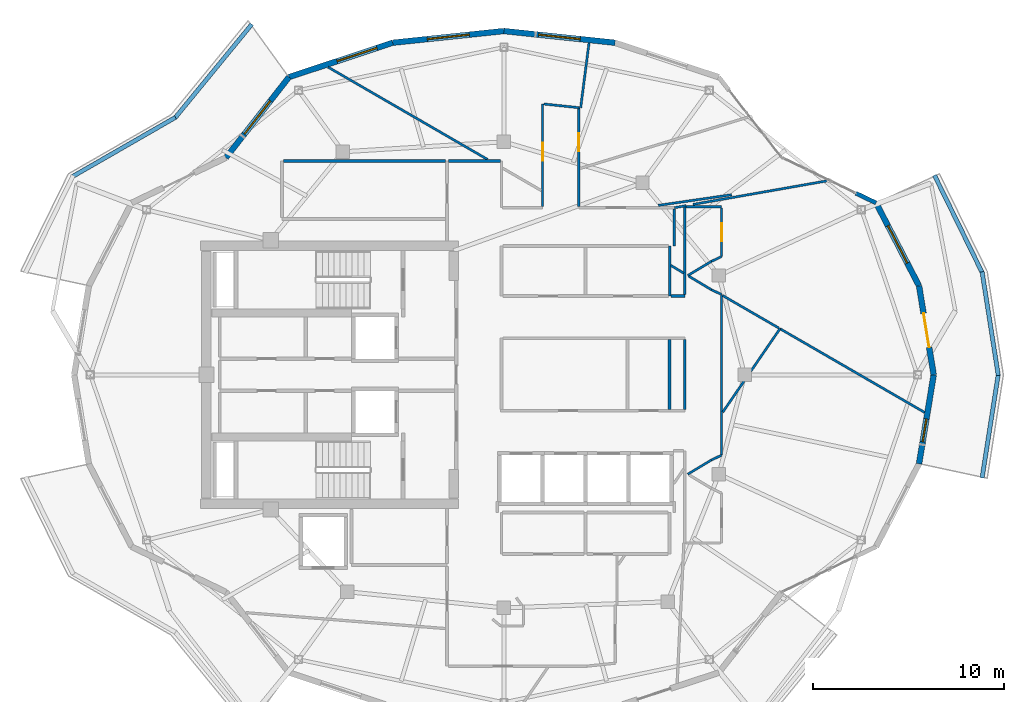
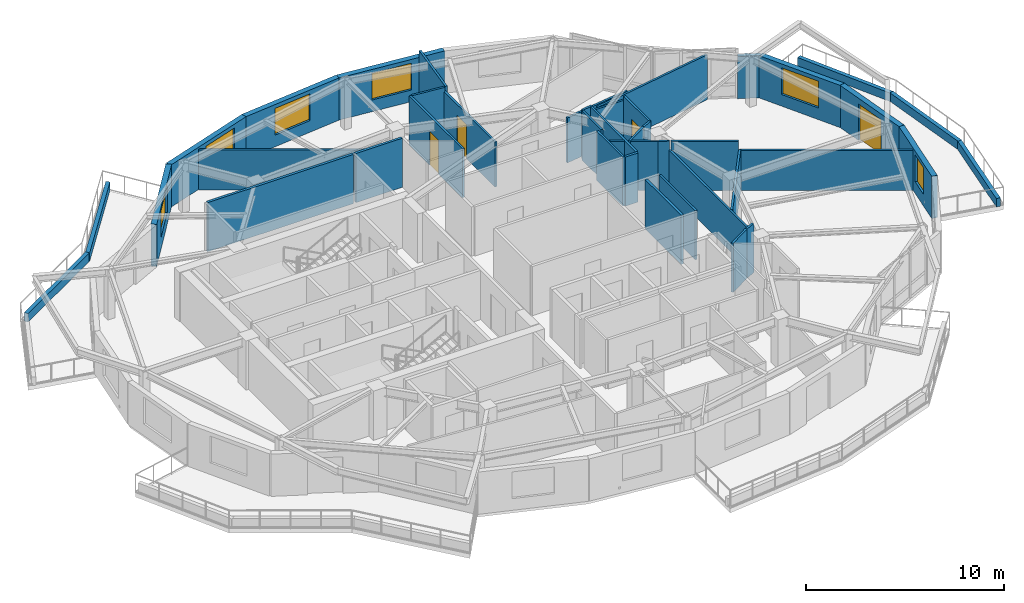
# One storey, part 10 of 14: 42 walls, 6 windows, 4 doors, 10 openings.
"""IFC4 building model written with IfcOpenShell, lengths in metres."""

from ifc_helpers import new_model, si_unit, direction, frame, frame_2d, origin, place, context, subcontext, project, spatial, rectangle, extrude, material, layer, layer_set, type_object, element, fill, save


model = new_model("IFC4")

# Units and contexts
model_context = context("Model", 3, precision=1e-05, world=origin(), true_north=direction((0.0, 1.0)))
body_context = subcontext(model_context, "Body", "Model", "MODEL_VIEW")
ifc_project = project(units=[si_unit("LENGTHUNIT", "METRE"), si_unit("AREAUNIT", "SQUARE_METRE"), si_unit("VOLUMEUNIT", "CUBIC_METRE"), si_unit("PLANEANGLEUNIT", "RADIAN"), si_unit("MASSUNIT", "GRAM", prefix="KILO")], contexts=[model_context])

# Site, building, storey
site_placement = place(None, origin())
site = spatial("IfcSite", under=ifc_project, at=site_placement, CompositionType="ELEMENT")
building_placement = place(site_placement, origin())
building = spatial("IfcBuilding", under=site, at=building_placement, Name="Kolvaren Gate Tower and Convention Centre", CompositionType="ELEMENT")
storey_placement = place(building_placement, frame((0.0, 0.0, 239.300048828125)))
storey = spatial("IfcBuildingStorey", under=building, at=storey_placement, Name="L64", CompositionType="ELEMENT", Elevation=239.300048828125)

# Wall
ifc_material_1 = material(Name="Fire-Rated Acoustic Gypsum Stud Partition", Category="gypsum")
ifc_layer_1 = layer(ifc_material_1, 0.1201171875)
ifc_layer_set_1 = layer_set([ifc_layer_1], Name="Fire-Rated Acoustic Gypsum Stud Partition")
wall_type_1 = type_object("IfcWallType", Name="ARCH-WL-PART-120", PredefinedType="PARTITIONING", material=ifc_layer_set_1)
wall_1_placement = place(storey_placement, frame((38.800048828125, 31.1201171875, 0.0), z_axis=(0.0, 0.0, 1.0), x_axis=(0.0, 1.0, 0.0)))
element("IfcWall", 1, at=wall_1_placement, inside=storey, type_object=wall_type_1, Name="Interior Partition WL-L64-INT-022", PredefinedType="PARTITIONING", context=body_context, shape_type="SweptSolid", body=[
    extrude(rectangle(XDim=2.6298828125, YDim=0.1201171875, at=frame_2d((1.31494140625, 0.0))), origin(), (0.0, 0.0, 1.0), 3.030029296875),
])

# Wall, opening, door
wall_2_placement = place(storey_placement, frame((32.14990234375, 35.81201171875, 0.0), z_axis=(0.0, 0.0, 1.0), x_axis=(0.0, 1.0, 0.0)))
wall_2 = element("IfcWall", 2, at=wall_2_placement, inside=storey, type_object=wall_type_1, Name="Interior Partition WL-L64-INT-034", PredefinedType="PARTITIONING", context=body_context, shape_type="SweptSolid", body=[
    extrude(rectangle(XDim=5.375, YDim=0.1201171875, at=frame_2d((2.6875, 0.0))), origin(), (0.0, 0.0, 1.0), 3.030029296875),
])
opening_1_placement = place(wall_2_placement, frame((2.387451171875, 0.0, 0.0)))
opening_1 = element("IfcOpeningElement", 3, at=opening_1_placement, cuts=wall_2, Name="Opening DR-01", PredefinedType="OPENING", context=body_context, shape_type="SweptSolid", body=[
    extrude(rectangle(XDim=0.949951171875, YDim=2.10009765625, at=frame_2d((0.47509765625, 1.050048828125))), frame((0.0, 0.070068359375, 0.0), z_axis=(0.0, -1.0, 0.0), x_axis=(1.0, 0.0, 0.0)), (0.0, 0.0, 1.0), 0.14013671875),
])
ifc_material_2 = material(Name="Painted Architectural Steelwork ASTM A500 Grade C 345 MPa", Category="steel")
door_type_1 = type_object("IfcDoorType", Name="ARCH-DR-RISER-950", OperationType="SINGLE_SWING_RIGHT", PredefinedType="DOOR", material=ifc_material_2)
door_1_placement = place(opening_1_placement, origin())
door_1 = element("IfcDoor", 4, at=door_1_placement, inside=storey, type_object=door_type_1, Name="Resident Private Study Door", OperationType="SINGLE_SWING_LEFT", OverallHeight=2.10009765625, OverallWidth=0.949951171875, PredefinedType="DOOR", context=body_context, shape_type="SweptSolid", body=[
    extrude(rectangle(XDim=0.949951171875, YDim=2.10009765625, at=frame_2d((0.47509765625, 1.050048828125))), frame((0.0, 0.02490234375, 0.0), z_axis=(0.0, -1.0, 0.0), x_axis=(1.0, 0.0, 0.0)), (0.0, 0.0, 1.0), 0.050048828125),
])
fill(opening_1, door_1)

# Wall
wall_3_placement = place(storey_placement, frame((32.2119140625, 41.180419921875, 0.0), z_axis=(0.0, 0.0, 1.0), x_axis=(0.994512688404, -0.1046160246, 0.0)))
element("IfcWall", 5, at=wall_3_placement, inside=storey, type_object=wall_type_1, Name="Interior Partition WL-L64-INT-035", PredefinedType="PARTITIONING", context=body_context, shape_type="SweptSolid", body=[
    extrude(rectangle(XDim=1.848388671875, YDim=0.1201171875, at=frame_2d((0.92431640625, 0.0))), origin(), (0.0, 0.0, 1.0), 3.030029296875),
])

# Wall, opening, door
wall_4_placement = place(storey_placement, frame((34.050048828125, 35.81201171875, 0.0), z_axis=(0.0, 0.0, 1.0), x_axis=(0.0, 1.0, 0.0)))
wall_4 = element("IfcWall", 6, at=wall_4_placement, inside=storey, type_object=wall_type_1, Name="Interior Partition WL-L64-INT-036", PredefinedType="PARTITIONING", context=body_context, shape_type="SweptSolid", body=[
    extrude(rectangle(XDim=5.175048828125, YDim=0.1201171875, at=frame_2d((2.58740234375, 0.0))), origin(), (0.0, 0.0, 1.0), 2.77001953125),
])
opening_2_placement = place(wall_4_placement, frame((2.888427734375, 0.0, 0.0)))
opening_2 = element("IfcOpeningElement", 7, at=opening_2_placement, cuts=wall_4, Name="Opening DR-01", PredefinedType="OPENING", context=body_context, shape_type="SweptSolid", body=[
    extrude(rectangle(XDim=0.949951171875, YDim=2.10009765625, at=frame_2d((0.47509765625, 1.050048828125))), frame((0.0, 0.070068359375, 0.0), z_axis=(0.0, -1.0, 0.0), x_axis=(1.0, 0.0, 0.0)), (0.0, 0.0, 1.0), 0.14013671875),
])
door_2_placement = place(opening_2_placement, origin())
door_2 = element("IfcDoor", 8, at=door_2_placement, inside=storey, type_object=door_type_1, Name="Resident Gourmet Market Boutique Door", OperationType="SINGLE_SWING_RIGHT", OverallHeight=2.10009765625, OverallWidth=0.949951171875, PredefinedType="DOOR", context=body_context, shape_type="SweptSolid", body=[
    extrude(rectangle(XDim=0.949951171875, YDim=2.10009765625, at=frame_2d((0.47509765625, 1.050048828125))), frame((0.0, 0.02490234375, 0.0), z_axis=(0.0, -1.0, 0.0), x_axis=(1.0, 0.0, 0.0)), (0.0, 0.0, 1.0), 0.050048828125),
])
fill(opening_2, door_2)

# Walls
wall_5_placement = place(storey_placement, frame((39.050048828125, 33.75, 0.0), z_axis=(0.0, 0.0, 1.0), x_axis=(0.0, 1.0, 0.0)))
element("IfcWall", 9, at=wall_5_placement, inside=storey, type_object=wall_type_1, Name="Interior Partition WL-L64-INT-038", PredefinedType="PARTITIONING", context=body_context, shape_type="SweptSolid", body=[
    extrude(rectangle(XDim=1.93798828125, YDim=0.1201171875, at=frame_2d((0.968994140625, 0.0))), origin(), (0.0, 0.0, 1.0), 3.030029296875),
])
wall_6_placement = place(storey_placement, frame((39.60009765625, 25.197021484375, 0.0), z_axis=(0.0, 0.0, 1.0), x_axis=(0.0, 1.0, 0.0)))
element("IfcWall", 10, at=wall_6_placement, inside=storey, type_object=wall_type_1, Name="Interior Partition WL-L64-INT-040", PredefinedType="PARTITIONING", context=body_context, shape_type="SweptSolid", body=[
    extrude(rectangle(XDim=3.64599609375, YDim=0.1201171875, at=frame_2d((1.822998046875, 0.0))), origin(), (0.0, 0.0, 1.0), 3.030029296875),
])
wall_7_placement = place(storey_placement, frame((39.60009765625, 31.197021484375, 0.0), z_axis=(0.0, 0.0, 1.0), x_axis=(0.0, 1.0, 0.0)))
element("IfcWall", 11, at=wall_7_placement, inside=storey, type_object=wall_type_1, Name="Interior Partition WL-L64-INT-041", PredefinedType="PARTITIONING", context=body_context, shape_type="SweptSolid", body=[
    extrude(rectangle(XDim=4.60302734375, YDim=0.1201171875, at=frame_2d((2.301513671875, 0.0))), origin(), (0.0, 0.0, 1.0), 3.030029296875),
])
wall_8_placement = place(storey_placement, frame((39.662109375, 35.800048828125, 0.0), z_axis=(0.0, 0.0, 1.0), x_axis=(1.0, 0.0, 0.0)))
element("IfcWall", 12, at=wall_8_placement, inside=storey, type_object=wall_type_1, Name="Interior Partition WL-L64-INT-042", PredefinedType="PARTITIONING", context=body_context, shape_type="SweptSolid", body=[
    extrude(rectangle(XDim=1.85791015625, YDim=0.1201171875, at=frame_2d((0.928955078125, 0.0))), origin(), (0.0, 0.0, 1.0), 2.77001953125),
])
wall_9_placement = place(storey_placement, frame((41.52001953125, 22.7939453125, 0.0), z_axis=(0.0, 0.0, 1.0), x_axis=(0.0, 1.0, 0.0)))
element("IfcWall", 13, at=wall_9_placement, inside=storey, type_object=wall_type_1, Name="Interior Partition WL-L64-INT-044", PredefinedType="PARTITIONING", context=body_context, shape_type="SweptSolid", body=[
    extrude(rectangle(XDim=8.412109375, YDim=0.1201171875, at=frame_2d((4.2060546875, 0.0))), origin(), (0.0, 0.0, 1.0), 2.47802734375),
])

# Wall, opening, door
wall_10_placement = place(storey_placement, frame((41.52001953125, 33.193115234375, 0.0), z_axis=(0.0, 0.0, 1.0), x_axis=(0.0, 1.0, 0.0)))
wall_10 = element("IfcWall", 14, at=wall_10_placement, inside=storey, type_object=wall_type_1, Name="Interior Partition WL-L64-INT-045", PredefinedType="PARTITIONING", context=body_context, shape_type="SweptSolid", body=[
    extrude(rectangle(XDim=2.544921875, YDim=0.1201171875, at=frame_2d((1.2724609375, 0.0))), origin(), (0.0, 0.0, 1.0), 3.030029296875),
])
opening_3_placement = place(wall_10_placement, frame((0.797607421875, 0.0, 0.0)))
opening_3 = element("IfcOpeningElement", 15, at=opening_3_placement, cuts=wall_10, Name="Opening DR-01", PredefinedType="OPENING", context=body_context, shape_type="SweptSolid", body=[
    extrude(rectangle(XDim=0.949951171875, YDim=2.10009765625, at=frame_2d((0.47509765625, 1.050048828125))), frame((0.0, 0.070068359375, 0.0), z_axis=(0.0, -1.0, 0.0), x_axis=(1.0, 0.0, 0.0)), (0.0, 0.0, 1.0), 0.14013671875),
])
door_3_placement = place(opening_3_placement, origin())
door_3 = element("IfcDoor", 16, at=door_3_placement, inside=storey, type_object=door_type_1, Name="Resident Quiet Study Office Door", OperationType="SINGLE_SWING_RIGHT", OverallHeight=2.10009765625, OverallWidth=0.949951171875, PredefinedType="DOOR", context=body_context, shape_type="SweptSolid", body=[
    extrude(rectangle(XDim=0.949951171875, YDim=2.10009765625, at=frame_2d((0.47509765625, 1.050048828125))), frame((0.0, 0.02490234375, 0.0), z_axis=(0.0, -1.0, 0.0), x_axis=(1.0, 0.0, 0.0)), (0.0, 0.0, 1.0), 0.050048828125),
])
fill(opening_3, door_3)

# Walls
wall_11_placement = place(storey_placement, frame((40.986083984375, 32.93994140625, 0.0), z_axis=(0.0, 0.0, 1.0), x_axis=(0.90356951601, 0.428441512621, 0.0)))
element("IfcWall", 17, at=wall_11_placement, inside=storey, type_object=wall_type_1, Name="Interior Partition WL-L64-INT-046", PredefinedType="PARTITIONING", context=body_context, shape_type="SweptSolid", body=[
    extrude(rectangle(XDim=0.5908203125, YDim=0.1201171875, at=frame_2d((0.29541015625, 0.0))), origin(), (0.0, 0.0, 1.0), 3.030029296875),
])
wall_12_placement = place(storey_placement, frame((39.75, 32.198974609375, 0.0), z_axis=(0.0, 0.0, 1.0), x_axis=(0.857702120906, 0.514146935996, 0.0)))
element("IfcWall", 18, at=wall_12_placement, inside=storey, type_object=wall_type_1, Name="Interior Partition WL-L64-INT-047", PredefinedType="PARTITIONING", context=body_context, shape_type="SweptSolid", body=[
    extrude(rectangle(XDim=1.441162109375, YDim=0.1201171875, at=frame_2d((0.720703125, 0.0))), origin(), (0.0, 0.0, 1.0), 3.030029296875),
])
wall_13_placement = place(storey_placement, frame((38.862060546875, 32.730712890625, 0.0), z_axis=(0.0, 0.0, 1.0), x_axis=(0.857957341468, -0.513720936133, 0.0)))
element("IfcWall", 19, at=wall_13_placement, inside=storey, type_object=wall_type_1, Name="Interior Partition WL-L64-INT-048", PredefinedType="PARTITIONING", context=body_context, shape_type="SweptSolid", body=[
    extrude(rectangle(XDim=0.787841796875, YDim=0.1201171875, at=frame_2d((0.39404296875, 0.0))), origin(), (0.0, 0.0, 1.0), 3.030029296875),
])
wall_14_placement = place(storey_placement, frame((39.810302734375, 32.162841796875, 0.0), z_axis=(0.0, 0.0, 1.0), x_axis=(0.858011245414, -0.513630901273, 0.0)))
element("IfcWall", 20, at=wall_14_placement, inside=storey, type_object=wall_type_1, Name="Interior Partition WL-L64-INT-049", PredefinedType="PARTITIONING", context=body_context, shape_type="SweptSolid", body=[
    extrude(rectangle(XDim=1.370361328125, YDim=0.1201171875, at=frame_2d((0.68505859375, 0.0))), origin(), (0.0, 0.0, 1.0), 3.030029296875),
])
for number, where, z_axis, x_axis, name in (
    (21, (40.986083984375, 31.458984375, 0.0), (0.0, 0.0, 1.0), (0.903729424576, -0.428104107847, 0.0), "Interior Partition WL-L64-INT-050"),
    (22, (40.986083984375, 22.541015625, 0.0), (0.0, 0.0, 1.0), (0.903729424576, 0.428104107847, 0.0), "Interior Partition WL-L64-INT-051"),
):
    element("IfcWall", number, at=place(storey_placement, frame(where, z_axis=z_axis, x_axis=x_axis)), inside=storey, type_object=wall_type_1, Name=name, PredefinedType="PARTITIONING", context=body_context, shape_type="SweptSolid", body=[
        extrude(rectangle(XDim=0.5908203125, YDim=0.1201171875, at=frame_2d((0.29541015625, 0.0))), origin(), (0.0, 0.0, 1.0), 3.030029296875),
    ])
wall_15_placement = place(storey_placement, frame((39.75, 21.800048828125, 0.0), z_axis=(0.0, 0.0, 1.0), x_axis=(0.857702120906, 0.514146935996, 0.0)))
element("IfcWall", 23, at=wall_15_placement, inside=storey, type_object=wall_type_1, Name="Interior Partition WL-L64-INT-052", PredefinedType="PARTITIONING", context=body_context, shape_type="SweptSolid", body=[
    extrude(rectangle(XDim=1.441162109375, YDim=0.1201171875, at=frame_2d((0.720703125, 0.0))), origin(), (0.0, 0.0, 1.0), 3.030029296875),
])
wall_16_placement = place(storey_placement, frame((41.58203125, 25.045654296875, 0.0), z_axis=(0.0, 0.0, 1.0), x_axis=(0.565425372418, 0.824799459399, 0.0)))
element("IfcWall", 24, at=wall_16_placement, inside=storey, type_object=wall_type_1, Name="Interior Partition WL-L64-INT-070", PredefinedType="PARTITIONING", context=body_context, shape_type="SweptSolid", body=[
    extrude(rectangle(XDim=5.29833984375, YDim=0.1201171875, at=frame_2d((2.649169921875, 0.0))), origin(), (0.0, 0.0, 1.0), 2.47802734375),
])
wall_17_placement = place(storey_placement, frame((20.923828125, 43.107421875, 0.0), z_axis=(0.0, 0.0, 1.0), x_axis=(0.865470198543, -0.500960413041, 0.0)))
element("IfcWall", 25, at=wall_17_placement, inside=storey, type_object=wall_type_1, Name="Interior Partition WL-L64-INT-072", PredefinedType="PARTITIONING", context=body_context, shape_type="SweptSolid", body=[
    extrude(rectangle(XDim=9.64208984375, YDim=0.1201171875, at=frame_2d((4.821044921875, 0.0))), origin(), (0.0, 0.0, 1.0), 2.47802734375),
])
wall_18_placement = place(storey_placement, frame((41.58203125, 31.14990234375, 0.0), z_axis=(0.0, 0.0, 1.0), x_axis=(0.865485283928, -0.500934350294, 0.0)))
element("IfcWall", 26, at=wall_18_placement, inside=storey, type_object=wall_type_1, Name="Interior Partition WL-L64-INT-074", PredefinedType="PARTITIONING", context=body_context, shape_type="SweptSolid", body=[
    extrude(rectangle(XDim=3.3994140625, YDim=0.1201171875, at=frame_2d((1.69970703125, 0.0))), origin(), (0.0, 0.0, 1.0), 3.030029296875),
])
wall_19_placement = place(storey_placement, frame((44.576171875, 29.4169921875, 0.0), z_axis=(0.0, 0.0, 1.0), x_axis=(0.865466406929, -0.500966963459, 0.0)))
element("IfcWall", 27, at=wall_19_placement, inside=storey, type_object=wall_type_1, Name="Interior Partition WL-L64-INT-074 (2)", PredefinedType="PARTITIONING", context=body_context, shape_type="SweptSolid", body=[
    extrude(rectangle(XDim=8.748291015625, YDim=0.1201171875, at=frame_2d((4.3740234375, 0.0))), origin(), (0.0, 0.0, 1.0), 2.47802734375),
])
wall_20_placement = place(storey_placement, frame((39.050048828125, 35.75, 0.0), z_axis=(0.0, 0.0, 1.0), x_axis=(0.984878329038, 0.173247444398, 0.0)))
element("IfcWall", 28, at=wall_20_placement, inside=storey, type_object=wall_type_1, Name="Interior Partition WL-L64-INT-075", PredefinedType="PARTITIONING", context=body_context, shape_type="SweptSolid", body=[
    extrude(rectangle(XDim=0.621337890625, YDim=0.1201171875, at=frame_2d((0.310546875, 0.0))), origin(), (0.0, 0.0, 1.0), 3.030029296875),
])
wall_21_placement = place(storey_placement, frame((40.027587890625, 35.922119140625, 0.0), z_axis=(0.0, 0.0, 1.0), x_axis=(0.984876564341, 0.173257476063, 0.0)))
element("IfcWall", 29, at=wall_21_placement, inside=storey, type_object=wall_type_1, Name="Interior Partition WL-L64-INT-075 (2)", PredefinedType="PARTITIONING", context=body_context, shape_type="SweptSolid", body=[
    extrude(rectangle(XDim=7.203369140625, YDim=0.1201171875, at=frame_2d((3.6015625, 0.0))), origin(), (0.0, 0.0, 1.0), 2.77001953125),
])
wall_22_placement = place(storey_placement, frame((38.209716796875, 35.8720703125, 0.0), z_axis=(0.0, 0.0, 1.0), x_axis=(0.989609404511, 0.14378187126, 0.0)))
element("IfcWall", 30, at=wall_22_placement, inside=storey, type_object=wall_type_1, Name="Interior Partition WL-L64-INT-076", PredefinedType="PARTITIONING", context=body_context, shape_type="SweptSolid", body=[
    extrude(rectangle(XDim=3.8798828125, YDim=0.1201171875, at=frame_2d((1.93994140625, 0.0))), origin(), (0.0, 0.0, 1.0), 2.77001953125),
])
wall_23_placement = place(storey_placement, frame((34.143798828125, 40.987060546875, 0.0), z_axis=(0.0, 0.0, 1.0), x_axis=(0.128111819931, 0.99175972977, 0.0)))
element("IfcWall", 31, at=wall_23_placement, inside=storey, type_object=wall_type_1, Name="Interior Partition WL-L64-INT-078", PredefinedType="PARTITIONING", context=body_context, shape_type="SweptSolid", body=[
    extrude(rectangle(XDim=3.418701171875, YDim=0.1201171875, at=frame_2d((1.70947265625, 0.0))), origin(), (0.0, 0.0, 1.0), 3.030029296875),
])
ifc_material_3 = material(Name="Bogota Sabana Bush-Hammered Sandstone Cladding", Category="masonry")
ifc_layer_2 = layer(ifc_material_3, 0.219970703125)
ifc_layer_set_2 = layer_set([ifc_layer_2], Name="Bogota Sabana Bush-Hammered Sandstone Cladding")
wall_type_2 = type_object("IfcWallType", Name="ARCH-WL-PIER-220", PredefinedType="SOLIDWALL", material=ifc_layer_set_2)
wall_24_placement = place(storey_placement, frame((48.5458984375, 36.511474609375, 0.0), z_axis=(0.0, 0.0, 1.0), x_axis=(0.901384320487, -0.433019984274, 0.0)))
element("IfcWall", 32, at=wall_24_placement, inside=storey, type_object=wall_type_2, Name="Tower L64 Unitised Curtain Wall CW-RES-UNIT Bay 02 Right Column Pier Wrap", PredefinedType="SOLIDWALL", context=body_context, shape_type="SweptSolid", body=[
    extrude(rectangle(XDim=1.18115234375, YDim=0.219970703125, at=frame_2d((0.590576171875, 0.0))), origin(), (0.0, 0.0, 1.0), 2.60498046875),
])
ifc_material_4 = material(Name="Piedmont Cream Honed Limestone Cladding", Category="masonry")
ifc_layer_3 = layer(ifc_material_4, 0.219970703125)
ifc_layer_set_3 = layer_set([ifc_layer_3], Name="Piedmont Cream Honed Limestone Cladding")
wall_type_3 = type_object("IfcWallType", Name="ARCH-WL-PLANTER-220", PredefinedType="PARAPET", material=ifc_layer_set_3)
wall_25_placement = place(storey_placement, frame((12.88232421875, 40.42138671875, 0.0), z_axis=(0.0, 0.0, 1.0), x_axis=(0.63407318032, 0.77327304492, 0.0)))
element("IfcWall", 33, at=wall_25_placement, inside=storey, type_object=wall_type_3, Name="Vertical-Forest Balcony Stone Planter Kerb PK-L64-1.1", PredefinedType="PARAPET", context=body_context, shape_type="SweptSolid", body=[
    extrude(rectangle(XDim=6.37890625, YDim=0.219970703125, at=frame_2d((3.189453125, 0.0))), origin(), (0.0, 0.0, 1.0), 0.52001953125),
])
wall_26_placement = place(storey_placement, frame((7.556884765625, 37.390625, 0.0), z_axis=(0.0, 0.0, 1.0), x_axis=(0.866901621005, 0.49847926687, 0.0)))
element("IfcWall", 34, at=wall_26_placement, inside=storey, type_object=wall_type_3, Name="Vertical-Forest Balcony Stone Planter Kerb PK-L64-1.2", PredefinedType="PARAPET", context=body_context, shape_type="SweptSolid", body=[
    extrude(rectangle(XDim=6.196533203125, YDim=0.219970703125, at=frame_2d((3.09814453125, 0.0))), origin(), (0.0, 0.0, 1.0), 0.52001953125),
])
for number, where, z_axis, x_axis, name in (
    (35, (55.158447265625, 21.603515625, 0.0), (0.0, 0.0, 1.0), (0.154441975483, 0.988001860428, 0.0), "Vertical-Forest Balcony Stone Planter Kerb PK-L64-4.1"),
    (36, (55.158447265625, 32.396484375, 0.0), (0.0, 0.0, 1.0), (0.154441975483, -0.988001860428, 0.0), "Vertical-Forest Balcony Stone Planter Kerb PK-L64-4.2"),
):
    element("IfcWall", number, at=place(storey_placement, frame(where, z_axis=z_axis, x_axis=x_axis)), inside=storey, type_object=wall_type_3, Name=name, PredefinedType="PARAPET", context=body_context, shape_type="SweptSolid", body=[
        extrude(rectangle(XDim=5.49169921875, YDim=0.219970703125, at=frame_2d((2.745849609375, 0.0))), origin(), (0.0, 0.0, 1.0), 0.52001953125),
    ])
wall_27_placement = place(storey_placement, frame((52.66748046875, 37.446533203125, 0.0), z_axis=(0.0, 0.0, 1.0), x_axis=(0.440058847499, -0.897968936399, 0.0)))
element("IfcWall", 37, at=wall_27_placement, inside=storey, type_object=wall_type_3, Name="Vertical-Forest Balcony Stone Planter Kerb PK-L64-4.3", PredefinedType="PARAPET", context=body_context, shape_type="SweptSolid", body=[
    extrude(rectangle(XDim=5.689453125, YDim=0.219970703125, at=frame_2d((2.8447265625, 0.0))), origin(), (0.0, 0.0, 1.0), 0.52001953125),
])

# Wall, opening, door
ifc_layer_4 = layer(ifc_material_4, 0.300048828125)
ifc_layer_set_4 = layer_set([ifc_layer_4], Name="Piedmont Cream Honed Limestone Cladding")
wall_type_4 = type_object("IfcWallType", Name="ARCH-WL-STONE-300", PredefinedType="SOLIDWALL", material=ifc_layer_set_4)
wall_28_placement = place(storey_placement, frame((51.8583984375, 31.65869140625, 0.0), z_axis=(0.0, 0.0, 1.0), x_axis=(0.162369371657, -0.986730047758, 0.0)))
wall_28 = element("IfcWall", 38, at=wall_28_placement, inside=storey, type_object=wall_type_4, Name="Tower L64 Honed Stone Spandrel Wall EW-00", PredefinedType="SOLIDWALL", context=body_context, shape_type="SweptSolid", body=[
    extrude(rectangle(XDim=4.721435546875, YDim=0.300048828125, at=frame_2d((2.36083984375, 0.0))), origin(), (0.0, 0.0, 1.0), 2.60498046875),
])
opening_4_placement = place(wall_28_placement, frame((1.4609375, 0.0, 0.0)))
opening_4 = element("IfcOpeningElement", 39, at=opening_4_placement, cuts=wall_28, Name="Opening DB-01", PredefinedType="OPENING", context=body_context, shape_type="SweptSolid", body=[
    extrude(rectangle(XDim=1.800048828125, YDim=2.25, at=frame_2d((0.89990234375, 1.125))), frame((0.0, 0.159912109375, 0.0), z_axis=(0.0, -1.0, 0.0), x_axis=(1.0, 0.0, 0.0)), (0.0, 0.0, 1.0), 0.320068359375),
])
ifc_material_5 = material(Name="Anodized Architectural Aluminium Alloy 6063-T6", Category="aluminium")
door_type_2 = type_object("IfcDoorType", Name="ARCH-DR-BALC-1800", OperationType="SLIDING_TO_LEFT", PredefinedType="DOOR", material=ifc_material_5)
door_4_placement = place(opening_4_placement, origin())
door_4 = element("IfcDoor", 40, at=door_4_placement, inside=storey, type_object=door_type_2, Name="Planted Sky Terrace Access Door DB-L64-00", OperationType="SLIDING_TO_LEFT", OverallHeight=2.25, OverallWidth=1.800048828125, PredefinedType="DOOR", context=body_context, shape_type="SweptSolid", body=[
    extrude(rectangle(XDim=1.800048828125, YDim=2.25, at=frame_2d((0.89990234375, 1.125))), frame((0.0, 0.02490234375, 0.0), z_axis=(0.0, -1.0, 0.0), x_axis=(1.0, 0.0, 0.0)), (0.0, 0.0, 1.0), 0.050048828125),
])
fill(opening_4, door_4)

# Wall, opening, window
wall_29_placement = place(storey_placement, frame((49.610595703125, 36.0, 0.0), z_axis=(0.0, 0.0, 1.0), x_axis=(0.459793771602, -0.888025724625, 0.0)))
wall_29 = element("IfcWall", 41, at=wall_29_placement, inside=storey, type_object=wall_type_4, Name="Tower L64 Honed Stone Spandrel Wall EW-01", PredefinedType="SOLIDWALL", context=body_context, shape_type="SweptSolid", body=[
    extrude(rectangle(XDim=4.888671875, YDim=0.300048828125, at=frame_2d((2.4443359375, 0.0))), origin(), (0.0, 0.0, 1.0), 2.60498046875),
])
opening_5_placement = place(wall_29_placement, frame((1.343994140625, 0.0, 0.719970703125)))
opening_5 = element("IfcOpeningElement", 42, at=opening_5_placement, cuts=wall_29, Name="Opening W-03", PredefinedType="OPENING", context=body_context, shape_type="SweptSolid", body=[
    extrude(rectangle(XDim=2.199951171875, YDim=1.64990234375, at=frame_2d((1.10009765625, 0.824951171875))), frame((0.0, 0.159912109375, 0.0), z_axis=(0.0, -1.0, 0.0), x_axis=(1.0, 0.0, 0.0)), (0.0, 0.0, 1.0), 0.320068359375),
])
ifc_material_6 = material(Name="Low-E Triple Insulated Glazing Unit 44 mm", Category="glass")
window_type_1 = type_object("IfcWindowType", Name="ARCH-WN-RES-2200", PartitioningType="SINGLE_PANEL", PredefinedType="WINDOW", material=ifc_material_6)
window_1_placement = place(opening_5_placement, origin())
window_1 = element("IfcWindow", 43, at=window_1_placement, inside=storey, type_object=window_type_1, Name="Tower L64 Punched Stone Facade Window W-01", OverallHeight=1.64990234375, OverallWidth=2.199951171875, PartitioningType="SINGLE_PANEL", PredefinedType="WINDOW", context=body_context, shape_type="SweptSolid", body=[
    extrude(rectangle(XDim=2.199951171875, YDim=1.64990234375, at=frame_2d((1.10009765625, 0.824951171875))), frame((0.0, 0.030029296875, 0.0), z_axis=(0.0, -1.0, 0.0), x_axis=(1.0, 0.0, 0.0)), (0.0, 0.0, 1.0), 0.06005859375),
])
fill(opening_5, window_1)

wall_30_placement = place(storey_placement, frame((30.125, 45.0, 0.0), z_axis=(0.0, 0.0, 1.0), x_axis=(0.994500425783, -0.10473253132, 0.0)))
wall_30 = element("IfcWall", 44, at=wall_30_placement, inside=storey, type_object=wall_type_4, Name="Tower L64 Honed Stone Spandrel Wall EW-05", PredefinedType="SOLIDWALL", context=body_context, shape_type="SweptSolid", body=[
    extrude(rectangle(XDim=5.855712890625, YDim=0.300048828125, at=frame_2d((2.927734375, 0.0))), origin(), (0.0, 0.0, 1.0), 2.60498046875),
])
opening_6_placement = place(wall_30_placement, frame((1.827880859375, 0.0, 0.719970703125)))
opening_6 = element("IfcOpeningElement", 45, at=opening_6_placement, cuts=wall_30, Name="Opening W-03", PredefinedType="OPENING", context=body_context, shape_type="SweptSolid", body=[
    extrude(rectangle(XDim=2.199951171875, YDim=1.64990234375, at=frame_2d((1.10009765625, 0.824951171875))), frame((0.0, 0.159912109375, 0.0), z_axis=(0.0, -1.0, 0.0), x_axis=(1.0, 0.0, 0.0)), (0.0, 0.0, 1.0), 0.320068359375),
])
window_2_placement = place(opening_6_placement, origin())
window_2 = element("IfcWindow", 46, at=window_2_placement, inside=storey, type_object=window_type_1, Name="Tower L64 Punched Stone Facade Window W-05", OverallHeight=1.64990234375, OverallWidth=2.199951171875, PartitioningType="SINGLE_PANEL", PredefinedType="WINDOW", context=body_context, shape_type="SweptSolid", body=[
    extrude(rectangle(XDim=2.199951171875, YDim=1.64990234375, at=frame_2d((1.10009765625, 0.824951171875))), frame((0.0, 0.030029296875, 0.0), z_axis=(0.0, -1.0, 0.0), x_axis=(1.0, 0.0, 0.0)), (0.0, 0.0, 1.0), 0.06005859375),
])
fill(opening_6, window_2)

wall_31_placement = place(storey_placement, frame((24.301513671875, 44.38671875, 0.0), z_axis=(0.0, 0.0, 1.0), x_axis=(0.994500425783, 0.10473253132, 0.0)))
wall_31 = element("IfcWall", 47, at=wall_31_placement, inside=storey, type_object=wall_type_4, Name="Tower L64 Honed Stone Spandrel Wall EW-06", PredefinedType="SOLIDWALL", context=body_context, shape_type="SweptSolid", body=[
    extrude(rectangle(XDim=5.855712890625, YDim=0.300048828125, at=frame_2d((2.927734375, 0.0))), origin(), (0.0, 0.0, 1.0), 2.60498046875),
])
opening_7_placement = place(wall_31_placement, frame((1.827880859375, 0.0, 0.719970703125)))
opening_7 = element("IfcOpeningElement", 48, at=opening_7_placement, cuts=wall_31, Name="Opening W-03", PredefinedType="OPENING", context=body_context, shape_type="SweptSolid", body=[
    extrude(rectangle(XDim=2.199951171875, YDim=1.64990234375, at=frame_2d((1.10009765625, 0.824951171875))), frame((0.0, 0.159912109375, 0.0), z_axis=(0.0, -1.0, 0.0), x_axis=(1.0, 0.0, 0.0)), (0.0, 0.0, 1.0), 0.320068359375),
])
window_3_placement = place(opening_7_placement, origin())
window_3 = element("IfcWindow", 49, at=window_3_placement, inside=storey, type_object=window_type_1, Name="Tower L64 Punched Stone Facade Window W-06", OverallHeight=1.64990234375, OverallWidth=2.199951171875, PartitioningType="SINGLE_PANEL", PredefinedType="WINDOW", context=body_context, shape_type="SweptSolid", body=[
    extrude(rectangle(XDim=2.199951171875, YDim=1.64990234375, at=frame_2d((1.10009765625, 0.824951171875))), frame((0.0, 0.030029296875, 0.0), z_axis=(0.0, -1.0, 0.0), x_axis=(1.0, 0.0, 0.0)), (0.0, 0.0, 1.0), 0.06005859375),
])
fill(opening_7, window_3)

wall_32_placement = place(storey_placement, frame((18.875, 42.58837890625, 0.0), z_axis=(0.0, 0.0, 1.0), x_axis=(0.949232769585, 0.314574552605, 0.0)))
wall_32 = element("IfcWall", 50, at=wall_32_placement, inside=storey, type_object=wall_type_4, Name="Tower L64 Honed Stone Spandrel Wall EW-07", PredefinedType="SOLIDWALL", context=body_context, shape_type="SweptSolid", body=[
    extrude(rectangle(XDim=5.716796875, YDim=0.300048828125, at=frame_2d((2.8583984375, 0.0))), origin(), (0.0, 0.0, 1.0), 2.60498046875),
])
opening_8_placement = place(wall_32_placement, frame((2.64990234375, 0.0, 0.719970703125)))
opening_8 = element("IfcOpeningElement", 51, at=opening_8_placement, cuts=wall_32, Name="Opening W-03", PredefinedType="OPENING", context=body_context, shape_type="SweptSolid", body=[
    extrude(rectangle(XDim=2.199951171875, YDim=1.64990234375, at=frame_2d((1.10009765625, 0.824951171875))), frame((0.0, 0.159912109375, 0.0), z_axis=(0.0, -1.0, 0.0), x_axis=(1.0, 0.0, 0.0)), (0.0, 0.0, 1.0), 0.320068359375),
])
window_4_placement = place(opening_8_placement, origin())
window_4 = element("IfcWindow", 52, at=window_4_placement, inside=storey, type_object=window_type_1, Name="Tower L64 Punched Stone Facade Window W-07", OverallHeight=1.64990234375, OverallWidth=2.199951171875, PartitioningType="SINGLE_PANEL", PredefinedType="WINDOW", context=body_context, shape_type="SweptSolid", body=[
    extrude(rectangle(XDim=2.199951171875, YDim=1.64990234375, at=frame_2d((1.10009765625, 0.824951171875))), frame((0.0, 0.030029296875, 0.0), z_axis=(0.0, -1.0, 0.0), x_axis=(1.0, 0.0, 0.0)), (0.0, 0.0, 1.0), 0.06005859375),
])
fill(opening_8, window_4)

wall_33_placement = place(storey_placement, frame((15.57275390625, 38.370361328125, 0.0), z_axis=(0.0, 0.0, 1.0), x_axis=(0.61644588519, 0.787397276241, 0.0)))
wall_33 = element("IfcWall", 53, at=wall_33_placement, inside=storey, type_object=wall_type_4, Name="Tower L64 Honed Stone Spandrel Wall EW-08", PredefinedType="SOLIDWALL", context=body_context, shape_type="SweptSolid", body=[
    extrude(rectangle(XDim=5.35693359375, YDim=0.300048828125, at=frame_2d((2.678466796875, 0.0))), origin(), (0.0, 0.0, 1.0), 2.60498046875),
])
opening_9_placement = place(wall_33_placement, frame((1.5791015625, 0.0, 0.719970703125)))
opening_9 = element("IfcOpeningElement", 54, at=opening_9_placement, cuts=wall_33, Name="Opening W-03", PredefinedType="OPENING", context=body_context, shape_type="SweptSolid", body=[
    extrude(rectangle(XDim=2.199951171875, YDim=1.64990234375, at=frame_2d((1.10009765625, 0.824951171875))), frame((0.0, 0.159912109375, 0.0), z_axis=(0.0, -1.0, 0.0), x_axis=(1.0, 0.0, 0.0)), (0.0, 0.0, 1.0), 0.320068359375),
])
window_5_placement = place(opening_9_placement, origin())
window_5 = element("IfcWindow", 55, at=window_5_placement, inside=storey, type_object=window_type_1, Name="Tower L64 Punched Stone Facade Window W-08", OverallHeight=1.64990234375, OverallWidth=2.199951171875, PartitioningType="SINGLE_PANEL", PredefinedType="WINDOW", context=body_context, shape_type="SweptSolid", body=[
    extrude(rectangle(XDim=2.199951171875, YDim=1.64990234375, at=frame_2d((1.10009765625, 0.824951171875))), frame((0.0, 0.030029296875, 0.0), z_axis=(0.0, -1.0, 0.0), x_axis=(1.0, 0.0, 0.0)), (0.0, 0.0, 1.0), 0.06005859375),
])
fill(opening_9, window_5)

wall_34_placement = place(storey_placement, frame((51.8583984375, 22.34130859375, 0.0), z_axis=(0.0, 0.0, 1.0), x_axis=(0.162369371657, 0.986730047758, 0.0)))
wall_34 = element("IfcWall", 56, at=wall_34_placement, inside=storey, type_object=wall_type_4, Name="Tower L64 Honed Stone Spandrel Wall EW-23", PredefinedType="SOLIDWALL", context=body_context, shape_type="SweptSolid", body=[
    extrude(rectangle(XDim=4.721435546875, YDim=0.300048828125, at=frame_2d((2.36083984375, 0.0))), origin(), (0.0, 0.0, 1.0), 2.60498046875),
])
opening_10_placement = place(wall_34_placement, frame((1.179931640625, 0.0, 0.719970703125)))
opening_10 = element("IfcOpeningElement", 57, at=opening_10_placement, cuts=wall_34, Name="Opening W-04", PredefinedType="OPENING", context=body_context, shape_type="SweptSolid", body=[
    extrude(rectangle(XDim=1.199951171875, YDim=1.64990234375, at=frame_2d((0.60009765625, 0.824951171875))), frame((0.0, 0.159912109375, 0.0), z_axis=(0.0, -1.0, 0.0), x_axis=(1.0, 0.0, 0.0)), (0.0, 0.0, 1.0), 0.320068359375),
])
window_type_2 = type_object("IfcWindowType", Name="ARCH-WN-NARROW-1200", PartitioningType="SINGLE_PANEL", PredefinedType="WINDOW", material=ifc_material_6)
window_6_placement = place(opening_10_placement, origin())
window_6 = element("IfcWindow", 58, at=window_6_placement, inside=storey, type_object=window_type_2, Name="Tower L64 Punched Stone Facade Window W-23", OverallHeight=1.64990234375, OverallWidth=1.199951171875, PartitioningType="SINGLE_PANEL", PredefinedType="WINDOW", context=body_context, shape_type="SweptSolid", body=[
    extrude(rectangle(XDim=1.199951171875, YDim=1.64990234375, at=frame_2d((0.60009765625, 0.824951171875))), frame((0.0, 0.030029296875, 0.0), z_axis=(0.0, -1.0, 0.0), x_axis=(1.0, 0.0, 0.0)), (0.0, 0.0, 1.0), 0.06005859375),
])
fill(opening_10, window_6)

# Walls
ifc_material_7 = material(Name="Moisture-Resistant Cement-Board Acoustic Partition", Category="gypsum")
ifc_layer_5 = layer(ifc_material_7, 0.14990234375)
ifc_layer_set_5 = layer_set([ifc_layer_5], Name="Moisture-Resistant Cement-Board Acoustic Partition")
wall_type_5 = type_object("IfcWallType", Name="ARCH-WL-WET-150", PredefinedType="PARTITIONING", material=ifc_layer_set_5)
wall_35_placement = place(storey_placement, frame((38.800048828125, 25.197021484375, 0.0), z_axis=(0.0, 0.0, 1.0), x_axis=(0.0, 1.0, 0.0)))
element("IfcWall", 59, at=wall_35_placement, inside=storey, type_object=wall_type_5, Name="Interior Partition WL-L64-INT-021", PredefinedType="PARTITIONING", context=body_context, shape_type="SweptSolid", body=[
    extrude(rectangle(XDim=3.64599609375, YDim=0.14990234375, at=frame_2d((1.822998046875, 0.0))), origin(), (0.0, 0.0, 1.0), 3.030029296875),
])
wall_36_placement = place(storey_placement, frame((38.862060546875, 31.1201171875, 0.0), z_axis=(0.0, 0.0, 1.0), x_axis=(1.0, 0.0, 0.0)))
element("IfcWall", 60, at=wall_36_placement, inside=storey, type_object=wall_type_5, Name="Interior Partition WL-L64-INT-023 (2)", PredefinedType="PARTITIONING", context=body_context, shape_type="SweptSolid", body=[
    extrude(rectangle(XDim=0.738037109375, YDim=0.14990234375, at=frame_2d((0.369140625, 0.0))), origin(), (0.0, 0.0, 1.0), 3.030029296875),
])
wall_37_placement = place(storey_placement, frame((18.576904296875, 38.199951171875, 0.0), z_axis=(0.0, 0.0, 1.0), x_axis=(1.0, 0.0, 0.0)))
element("IfcWall", 61, at=wall_37_placement, inside=storey, type_object=wall_type_5, Name="Interior Partition WL-L64-INT-031", PredefinedType="PARTITIONING", context=body_context, shape_type="SweptSolid", body=[
    extrude(rectangle(XDim=8.49609375, YDim=0.14990234375, at=frame_2d((4.248046875, 0.0))), origin(), (0.0, 0.0, 1.0), 3.030029296875),
])
wall_38_placement = place(storey_placement, frame((27.22705078125, 38.199951171875, 0.0), z_axis=(0.0, 0.0, 1.0), x_axis=(1.0, 0.0, 0.0)))
element("IfcWall", 62, at=wall_38_placement, inside=storey, type_object=wall_type_5, Name="Interior Partition WL-L64-INT-031 (2)", PredefinedType="PARTITIONING", context=body_context, shape_type="SweptSolid", body=[
    extrude(rectangle(XDim=2.7109375, YDim=0.14990234375, at=frame_2d((1.35546875, 0.0))), origin(), (0.0, 0.0, 1.0), 3.030029296875),
])

save(model, "model.ifc")
